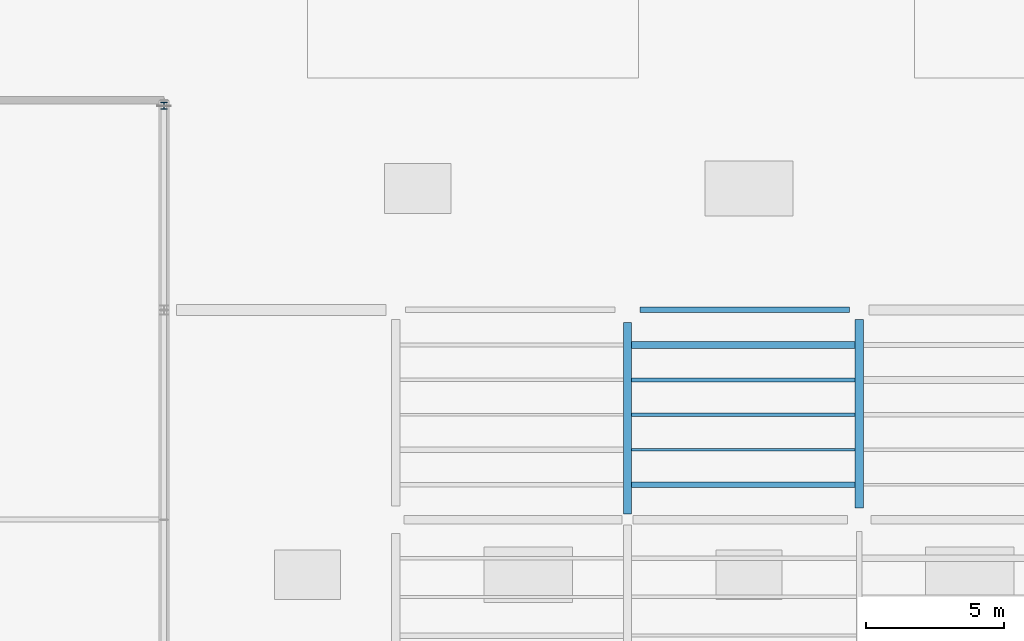
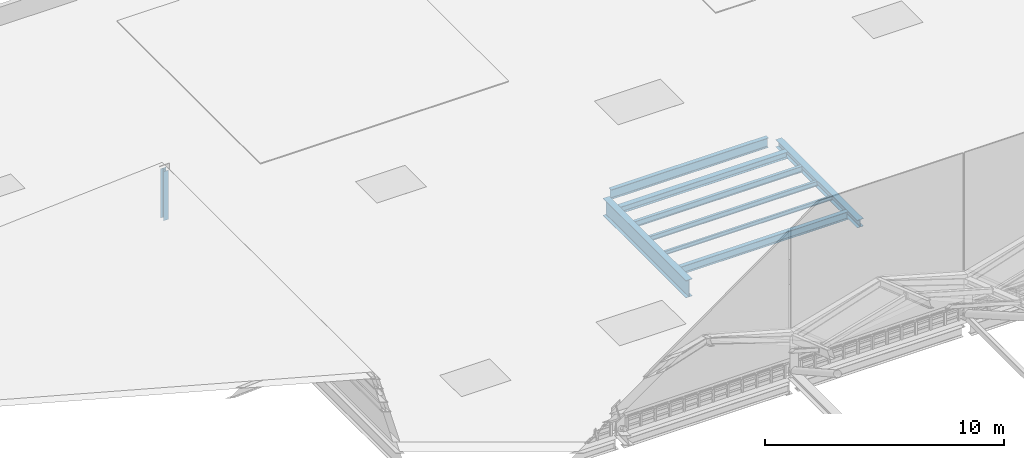
# One storey, part 37 of 77: 8 beams, 1 member.
"""IFC4 building model written with IfcOpenShell, lengths in metres."""

from ifc_helpers import new_model, si_unit, direction, frame, origin, origin_2d, place, context, subcontext, project, spatial, i_section, extrude, material, material_profile, profile_set, type_object, element, save


model = new_model("IFC4")

# Units and contexts
model_context = context("Model", 3, precision=1e-05, world=origin(), true_north=direction((0.0, 1.0)))
body_context = subcontext(model_context, "Body", "Model", "MODEL_VIEW")
ifc_project = project(units=[si_unit("LENGTHUNIT", "METRE"), si_unit("AREAUNIT", "SQUARE_METRE"), si_unit("VOLUMEUNIT", "CUBIC_METRE"), si_unit("PLANEANGLEUNIT", "RADIAN"), si_unit("MASSUNIT", "GRAM", prefix="KILO")], contexts=[model_context])

# Site, building, storey
site_placement = place(None, origin())
site = spatial("IfcSite", under=ifc_project, at=site_placement, CompositionType="ELEMENT")
building_placement = place(site_placement, origin())
building = spatial("IfcBuilding", under=site, at=building_placement, Name="Larkvane Passage Sports Hall", CompositionType="ELEMENT")
storey_placement = place(building_placement, frame((0.0, 0.0, 22.199951171875)))
storey = spatial("IfcBuildingStorey", under=building, at=storey_placement, Name="RF", CompositionType="ELEMENT", Elevation=22.199951171875)

# Beams
ifc_material_1 = material(Name="Steel S355JR", Category="steel")
ifc_material_profile_1 = material_profile(ifc_material_1, i_section(OverallWidth=0.300048828125, OverallDepth=0.389892578125, WebThickness=0.010009765625, FlangeThickness=0.01611328125, FilletRadius=0.01806640625, at=origin_2d()), Name="H-390x300x10x16")
ifc_profile_set_1 = profile_set([ifc_material_profile_1], Name="Steel S355JR")
beam_type_1 = type_object("IfcBeamType", Name="BM-STL-H390", PredefinedType="BEAM", material=ifc_profile_set_1)
beam_1_placement = place(storey_placement, frame((60.0, 84.425048828125, -0.574951171875), z_axis=(0.0, 1.0, 0.0), x_axis=(-1.0, 0.0, 0.0)))
element("IfcBeam", 1, at=beam_1_placement, inside=storey, type_object=beam_type_1, Name="Girder BM5-Y-RF-9-1172", PredefinedType="BEAM", context=body_context, shape_type="SweptSolid", body=[
    extrude(i_section(OverallWidth=0.300048828125, OverallDepth=0.389892578125, WebThickness=0.010009765625, FlangeThickness=0.01611328125, FilletRadius=0.01806640625, at=origin_2d()), origin(), (0.0, 0.0, 1.0), 6.824951171875),
])
ifc_material_2 = material(Name="Steel S460N", Category="steel")
ifc_material_profile_2 = material_profile(ifc_material_2, i_section(OverallWidth=0.299072265625, OverallDepth=0.889892578125, WebThickness=0.014892578125, FlangeThickness=0.02294921875, FilletRadius=0.02197265625, at=origin_2d()), Name="H-890x299x15x23")
ifc_profile_set_2 = profile_set([ifc_material_profile_2], Name="Steel S460N")
beam_type_2 = type_object("IfcBeamType", Name="BM-STL-H890", PredefinedType="BEAM", material=ifc_profile_set_2)
beam_2_placement = place(storey_placement, frame((51.60009765625, 84.199951171875, -0.824951171875), z_axis=(0.0, 1.0, 0.0), x_axis=(-1.0, 0.0, 0.0)))
element("IfcBeam", 2, at=beam_2_placement, inside=storey, type_object=beam_type_2, Name="Girder BM5-Y-RF-8-1169", PredefinedType="BEAM", context=body_context, shape_type="SweptSolid", body=[
    extrude(i_section(OverallWidth=0.299072265625, OverallDepth=0.889892578125, WebThickness=0.014892578125, FlangeThickness=0.02294921875, FilletRadius=0.02197265625, at=origin_2d()), origin(), (0.0, 0.0, 1.0), 6.949951171875),
])
ifc_material_profile_3 = material_profile(ifc_material_1, i_section(OverallWidth=0.10009765625, OverallDepth=0.199951171875, WebThickness=0.005615234375, FlangeThickness=0.008056640625, FilletRadius=0.008056640625, at=origin_2d()), Name="H-200x100x5.5x8")
ifc_profile_set_3 = profile_set([ifc_material_profile_3], Name="Steel S355JR")
beam_type_3 = type_object("IfcBeamType", Name="JST-STL-H200", PredefinedType="JOIST", material=ifc_profile_set_3)
beam_3_placement = place(storey_placement, frame((51.74951171875, 86.533447265625, -0.47998046875), z_axis=(1.0, 0.0, 0.0), x_axis=(0.0, 1.0, 0.0)))
element("IfcBeam", 3, at=beam_3_placement, inside=storey, type_object=beam_type_3, Name="Composite joist RF 8/K-2", PredefinedType="JOIST", context=body_context, shape_type="SweptSolid", body=[
    extrude(i_section(OverallWidth=0.10009765625, OverallDepth=0.199951171875, WebThickness=0.005615234375, FlangeThickness=0.008056640625, FilletRadius=0.008056640625, at=origin_2d()), origin(), (0.0, 0.0, 1.0), 8.1005859375),
])
ifc_material_profile_4 = material_profile(ifc_material_1, i_section(OverallWidth=0.125, OverallDepth=0.25, WebThickness=0.006103515625, FlangeThickness=0.009033203125, FilletRadius=0.008056640625, at=origin_2d()), Name="H-250x125x6x9")
ifc_profile_set_4 = profile_set([ifc_material_profile_4], Name="Steel S355JR")
beam_type_4 = type_object("IfcBeamType", Name="JST-STL-H250", PredefinedType="JOIST", material=ifc_profile_set_4)
beam_4_placement = place(storey_placement, frame((51.74951171875, 87.800048828125, -0.5048828125), z_axis=(1.0, 0.0, 0.0), x_axis=(0.0, 1.0, 0.0)))
element("IfcBeam", 4, at=beam_4_placement, inside=storey, type_object=beam_type_4, Name="Composite joist RF 8/K-3", PredefinedType="JOIST", context=body_context, shape_type="SweptSolid", body=[
    extrude(i_section(OverallWidth=0.125, OverallDepth=0.25, WebThickness=0.006103515625, FlangeThickness=0.009033203125, FilletRadius=0.008056640625, at=origin_2d()), origin(), (0.0, 0.0, 1.0), 8.1005859375),
])
ifc_material_profile_5 = material_profile(ifc_material_1, i_section(OverallWidth=0.14990234375, OverallDepth=0.300048828125, WebThickness=0.006591796875, FlangeThickness=0.009033203125, FilletRadius=0.012939453125, at=origin_2d()), Name="H-300x150x6.5x9")
ifc_profile_set_5 = profile_set([ifc_material_profile_5], Name="Steel S355JR")
beam_type_5 = type_object("IfcBeamType", Name="JST-STL-H300", PredefinedType="JOIST", material=ifc_profile_set_5)
beam_5_placement = place(storey_placement, frame((51.74951171875, 89.066650390625, -0.530029296875), z_axis=(1.0, 0.0, 0.0), x_axis=(0.0, 1.0, 0.0)))
element("IfcBeam", 5, at=beam_5_placement, inside=storey, type_object=beam_type_5, Name="Composite joist RF 8/K-4", PredefinedType="JOIST", context=body_context, shape_type="SweptSolid", body=[
    extrude(i_section(OverallWidth=0.14990234375, OverallDepth=0.300048828125, WebThickness=0.006591796875, FlangeThickness=0.009033203125, FilletRadius=0.012939453125, at=origin_2d()), origin(), (0.0, 0.0, 1.0), 8.1005859375),
])
ifc_material_profile_6 = material_profile(ifc_material_1, i_section(OverallWidth=0.25, OverallDepth=0.340087890625, WebThickness=0.009033203125, FlangeThickness=0.013916015625, FilletRadius=0.012939453125, at=origin_2d()), Name="H-340x250x9x14")
ifc_profile_set_6 = profile_set([ifc_material_profile_6], Name="Steel S355JR")
beam_type_6 = type_object("IfcBeamType", Name="JST-STL-H340", PredefinedType="JOIST", material=ifc_profile_set_6)
beam_6_placement = place(storey_placement, frame((51.74951171875, 90.333251953125, -0.550048828125), z_axis=(1.0, 0.0, 0.0), x_axis=(0.0, 1.0, 0.0)))
element("IfcBeam", 6, at=beam_6_placement, inside=storey, type_object=beam_type_6, Name="Composite joist RF 8/K-5", PredefinedType="JOIST", context=body_context, shape_type="SweptSolid", body=[
    extrude(i_section(OverallWidth=0.25, OverallDepth=0.340087890625, WebThickness=0.009033203125, FlangeThickness=0.013916015625, FilletRadius=0.012939453125, at=origin_2d()), origin(), (0.0, 0.0, 1.0), 8.1005859375),
])
ifc_material_profile_7 = material_profile(ifc_material_1, i_section(OverallWidth=0.199951171875, OverallDepth=0.39990234375, WebThickness=0.008056640625, FlangeThickness=0.012939453125, FilletRadius=0.012939453125, at=origin_2d()), Name="H-400x200x8x13")
ifc_profile_set_7 = profile_set([ifc_material_profile_7], Name="Steel S355JR")
beam_type_7 = type_object("IfcBeamType", Name="JST-STL-H400", PredefinedType="JOIST", material=ifc_profile_set_7)
beam_7_placement = place(storey_placement, frame((51.74951171875, 85.2666015625, -0.579833984375), z_axis=(1.0, 0.0, 0.0), x_axis=(0.0, 1.0, 0.0)))
element("IfcBeam", 7, at=beam_7_placement, inside=storey, type_object=beam_type_7, Name="Composite joist RF 8/K-1", PredefinedType="JOIST", context=body_context, shape_type="SweptSolid", body=[
    extrude(i_section(OverallWidth=0.199951171875, OverallDepth=0.39990234375, WebThickness=0.008056640625, FlangeThickness=0.012939453125, FilletRadius=0.012939453125, at=origin_2d()), origin(), (0.0, 0.0, 1.0), 8.1005859375),
])

# Member
ifc_material_profile_8 = material_profile(ifc_material_1, i_section(OverallWidth=0.25, OverallDepth=0.25, WebThickness=0.009033203125, FlangeThickness=0.013916015625, FilletRadius=0.012939453125, at=origin_2d()), Name="H-250x250x9x14")
ifc_profile_set_8 = profile_set([ifc_material_profile_8], Name="Steel S355JR")
member_type = type_object("IfcMemberType", Name="MBR-ST-H250", PredefinedType="STRUT", material=ifc_profile_set_8)
member_placement = place(storey_placement, frame((34.800048828125, 99.0, -0.349853515625), z_axis=(0.0, 0.0, 1.0), x_axis=(1.0, 0.0, 0.0)))
element("IfcMember", 8, at=member_placement, inside=storey, type_object=member_type, Name="Northwest hall roof eave strut STRUT5-RF-6-M", PredefinedType="STRUT", context=body_context, shape_type="SweptSolid", body=[
    extrude(i_section(OverallWidth=0.25, OverallDepth=0.25, WebThickness=0.009033203125, FlangeThickness=0.013916015625, FilletRadius=0.012939453125, at=origin_2d()), origin(), (0.0, 0.0, 1.0), 2.510009765625),
])

# Beam
ifc_material_profile_9 = material_profile(ifc_material_1, i_section(OverallWidth=0.199951171875, OverallDepth=0.5, WebThickness=0.010009765625, FlangeThickness=0.01611328125, FilletRadius=0.01806640625, at=origin_2d()), Name="H-500x200x10x16")
ifc_profile_set_9 = profile_set([ifc_material_profile_9], Name="Steel S355JR")
beam_type_8 = type_object("IfcBeamType", Name="SP-STL-H500", PredefinedType="SPANDREL", material=ifc_profile_set_9)
beam_8_placement = place(storey_placement, frame((52.050048828125, 91.60009765625, -0.6298828125), z_axis=(1.0, 0.0, 0.0), x_axis=(0.0, 1.0, 0.0)))
element("IfcBeam", 9, at=beam_8_placement, inside=storey, type_object=beam_type_8, Name="Girder BM5-X-RF-L-1160", PredefinedType="SPANDREL", context=body_context, shape_type="SweptSolid", body=[
    extrude(i_section(OverallWidth=0.199951171875, OverallDepth=0.5, WebThickness=0.010009765625, FlangeThickness=0.01611328125, FilletRadius=0.01806640625, at=origin_2d()), origin(), (0.0, 0.0, 1.0), 7.599853515625),
])

save(model, "model.ifc")
